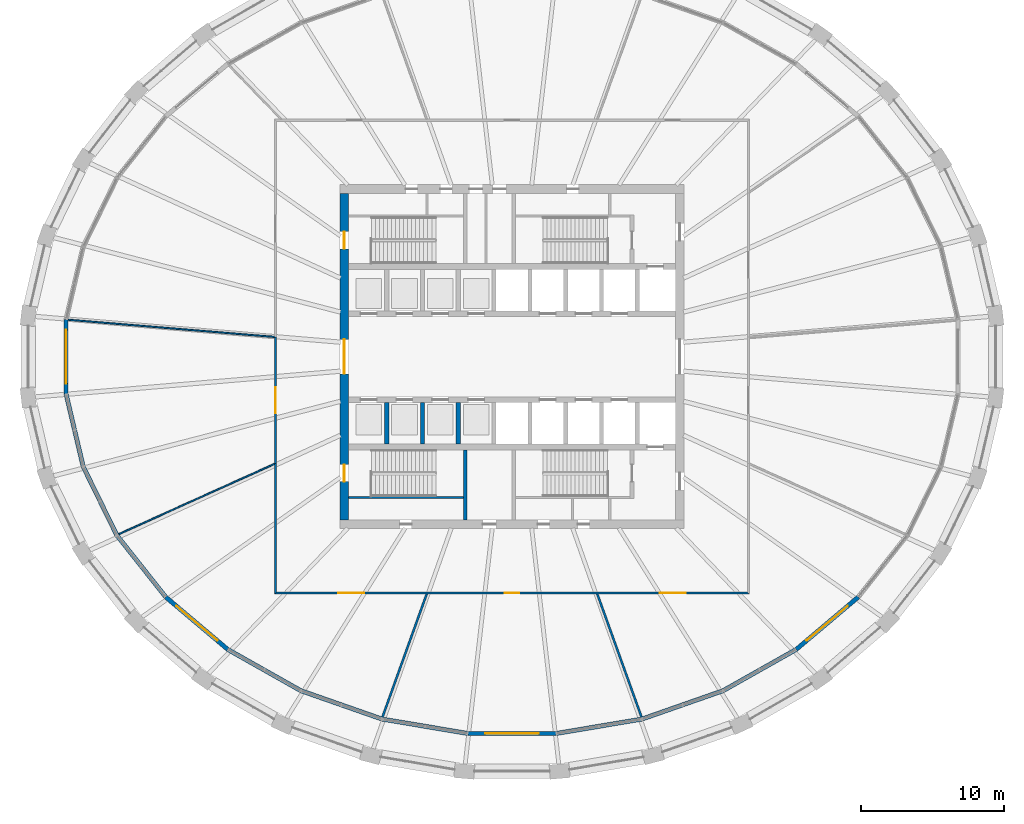
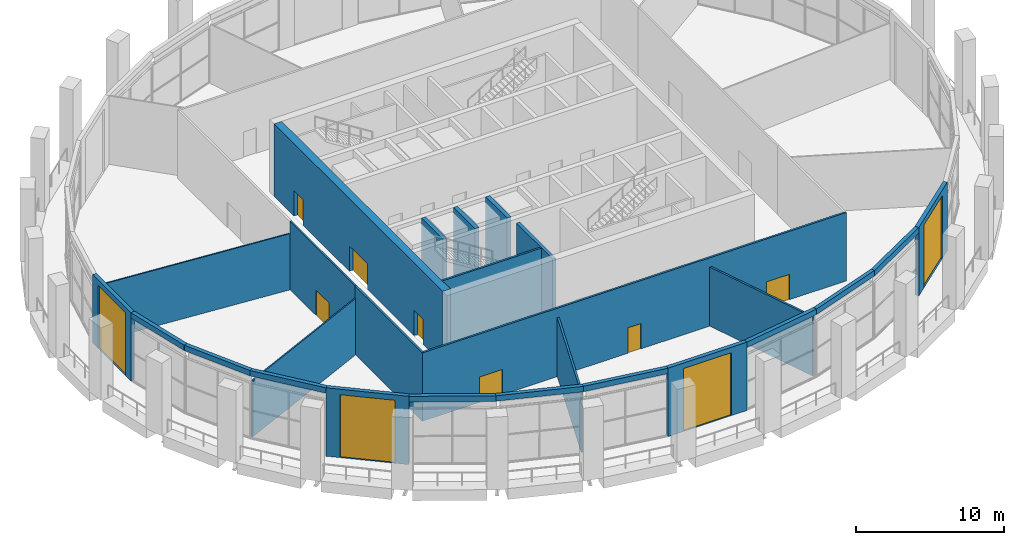
# One storey, part 12 of 19: 26 walls, 11 doors, 11 openings.
"""IFC4 building model written with IfcOpenShell, lengths in metres."""

from ifc_helpers import new_model, si_unit, direction, frame, frame_2d, origin, place, context, subcontext, project, spatial, polyline, rectangle, outline, extrude, material, layer, layer_set, type_object, element, fill, save


model = new_model("IFC4")

# Units and contexts
model_context = context("Model", 3, precision=1e-05, world=origin(), true_north=direction((0.0, 1.0)))
body_context = subcontext(model_context, "Body", "Model", "MODEL_VIEW")
ifc_project = project(units=[si_unit("LENGTHUNIT", "METRE"), si_unit("AREAUNIT", "SQUARE_METRE"), si_unit("VOLUMEUNIT", "CUBIC_METRE"), si_unit("PLANEANGLEUNIT", "RADIAN"), si_unit("MASSUNIT", "GRAM", prefix="KILO")], contexts=[model_context])

# Site, building, storey
site_placement = place(None, origin())
site = spatial("IfcSite", under=ifc_project, at=site_placement, CompositionType="ELEMENT")
building_placement = place(site_placement, origin())
building = spatial("IfcBuilding", under=site, at=building_placement, Name="Halqa Exchange Tower", CompositionType="ELEMENT")
storey_placement = place(building_placement, frame((0.0, 0.0, 167.5)))
storey = spatial("IfcBuildingStorey", under=building, at=storey_placement, Name="L38", CompositionType="ELEMENT", Elevation=167.5)

# Walls
ifc_material_1 = material(Name="Gypsum board")
ifc_layer_1 = layer(ifc_material_1, 0.14990234375)
ifc_layer_set_1 = layer_set([ifc_layer_1], Name="Gypsum board")
wall_type_1 = type_object("IfcWallType", Name="Acoustic partition 150", PredefinedType="PARTITIONING", material=ifc_layer_set_1)
wall_1_placement = place(storey_placement, frame((-5.947998046875, -16.5498046875, 0.0), z_axis=(0.0, 0.0, 1.0), x_axis=(-0.338254589268, -0.941054638605, 0.0)))
element("IfcWall", 1, at=wall_1_placement, inside=storey, type_object=wall_type_1, Name="L38-PWL-009", PredefinedType="PARTITIONING", context=body_context, shape_type="SweptSolid", body=[
    extrude(outline(polyline([(9.1318359375, -0.074951171875), (9.1318359375, -0.061767578125), (9.13134765625, 0.0029296875), (9.1181640625, 0.074951171875), (7.294677734375, 0.074951171875), (5.470947265625, 0.074951171875), (3.647216796875, 0.074951171875), (1.82373046875, 0.074951171875), (0.0, 0.074951171875), (0.0, 0.074462890625), (0.0537109375, -0.074951171875), (1.869384765625, -0.074951171875), (3.68505859375, -0.074951171875), (5.50048828125, -0.074951171875), (7.316162109375, -0.074951171875), (9.1318359375, -0.074951171875)])), origin(), (0.0, 0.0, 1.0), 4.8798828125),
])
wall_2_placement = place(storey_placement, frame((5.947998046875, -16.5498046875, 0.0), z_axis=(0.0, 0.0, 1.0), x_axis=(0.338254589268, -0.941054638605, 0.0)))
element("IfcWall", 2, at=wall_2_placement, inside=storey, type_object=wall_type_1, Name="L38-PWL-011", PredefinedType="PARTITIONING", context=body_context, shape_type="SweptSolid", body=[
    extrude(outline(polyline([(0.0, -0.074951171875), (1.82373046875, -0.074951171875), (3.647216796875, -0.074951171875), (5.470947265625, -0.074951171875), (7.294677734375, -0.074951171875), (9.1181640625, -0.074951171875), (9.13134765625, -0.0029296875), (9.1318359375, 0.061767578125), (9.1318359375, 0.074951171875), (7.316162109375, 0.074951171875), (5.50048828125, 0.074951171875), (3.68505859375, 0.074951171875), (1.869384765625, 0.074951171875), (0.0537109375, 0.074951171875), (0.0, -0.074462890625), (0.0, -0.074951171875)])), origin(), (0.0, 0.0, 1.0), 4.8798828125),
])
ifc_material_2 = material(Name="Fire-rated gypsum board")
ifc_layer_2 = layer(ifc_material_2, 0.14990234375)
ifc_layer_set_2 = layer_set([ifc_layer_2], Name="Fire-rated gypsum board")
wall_type_2 = type_object("IfcWallType", Name="Fire partition EI 60 150", PredefinedType="PARTITIONING", material=ifc_layer_set_2)
wall_3_placement = place(storey_placement, frame((-16.5, -16.574951171875, 0.0), z_axis=(0.0, 0.0, 1.0), x_axis=(0.0, 1.0, 0.0)))
element("IfcWall", 3, at=wall_3_placement, inside=storey, type_object=wall_type_2, Name="L38-PWL-001", PredefinedType="PARTITIONING", context=body_context, shape_type="SweptSolid", body=[
    extrude(outline(polyline([(9.125, 0.074951171875), (7.300048828125, 0.074951171875), (5.47509765625, 0.074951171875), (3.64990234375, 0.074951171875), (1.824951171875, 0.074951171875), (0.0, 0.074951171875), (0.14990234375, -0.074951171875), (1.94482421875, -0.074951171875), (3.739990234375, -0.074951171875), (5.534912109375, -0.074951171875), (7.330078125, -0.074951171875), (9.125, -0.074951171875), (9.125, 0.074951171875)])), origin(), (0.0, 0.0, 1.0), 5.64990234375),
])

# Wall, openings, doors
wall_4_placement = place(storey_placement, frame((-16.574951171875, -16.5, 0.0), z_axis=(0.0, 0.0, 1.0), x_axis=(1.0, 0.0, 0.0)))
wall_4 = element("IfcWall", 4, at=wall_4_placement, inside=storey, type_object=wall_type_2, Name="L38-PWL-002", PredefinedType="PARTITIONING", context=body_context, shape_type="SweptSolid", body=[
    extrude(outline(polyline([(0.0, -0.074951171875), (1.949951171875, -0.074951171875), (3.89990234375, -0.074951171875), (5.85009765625, -0.074951171875), (7.800048828125, -0.074951171875), (9.75, -0.074951171875), (11.699951171875, -0.074951171875), (13.64990234375, -0.074951171875), (15.599853515625, -0.074951171875), (17.550048828125, -0.074951171875), (19.5, -0.074951171875), (21.449951171875, -0.074951171875), (23.39990234375, -0.074951171875), (25.349853515625, -0.074951171875), (27.2998046875, -0.074951171875), (29.25, -0.074951171875), (31.199951171875, -0.074951171875), (33.14990234375, -0.074951171875), (33.0, 0.074951171875), (31.067626953125, 0.074951171875), (29.13525390625, 0.074951171875), (27.202880859375, 0.074951171875), (25.2705078125, 0.074951171875), (23.338134765625, 0.074951171875), (21.40576171875, 0.074951171875), (19.473388671875, 0.074951171875), (17.541015625, 0.074951171875), (15.60888671875, 0.074951171875), (13.676513671875, 0.074951171875), (11.744140625, 0.074951171875), (9.811767578125, 0.074951171875), (7.87939453125, 0.074951171875), (5.947021484375, 0.074951171875), (4.0146484375, 0.074951171875), (2.082275390625, 0.074951171875), (0.14990234375, 0.074951171875), (0.0, -0.074951171875)])), origin(), (0.0, 0.0, 1.0), 5.64990234375),
])
opening_1_placement = place(wall_4_placement, frame((4.4599609375, 0.0, 0.0)))
opening_1 = element("IfcOpeningElement", 5, at=opening_1_placement, cuts=wall_4, Name="Opening L38-06", PredefinedType="OPENING", context=body_context, shape_type="SweptSolid", body=[
    extrude(rectangle(XDim=1.800048828125, YDim=2.10009765625, at=frame_2d((0.89990234375, 1.050048828125))), frame((0.0, 0.0869140625, 0.0), z_axis=(0.0, -1.0, 0.0), x_axis=(1.0, 0.0, 0.0)), (0.0, 0.0, 1.0), 0.173828125),
])
opening_2_placement = place(wall_4_placement, frame((16.074951171875, 0.0, 0.0)))
opening_2 = element("IfcOpeningElement", 6, at=opening_2_placement, cuts=wall_4, Name="Opening L38-07", PredefinedType="OPENING", context=body_context, shape_type="SweptSolid", body=[
    extrude(rectangle(XDim=1.0, YDim=2.10009765625, at=frame_2d((0.5, 1.050048828125))), frame((0.0, 0.0869140625, 0.0), z_axis=(0.0, -1.0, 0.0), x_axis=(1.0, 0.0, 0.0)), (0.0, 0.0, 1.0), 0.173828125),
])
opening_3_placement = place(wall_4_placement, frame((26.889892578125, 0.0, 0.0)))
opening_3 = element("IfcOpeningElement", 7, at=opening_3_placement, cuts=wall_4, Name="Opening L38-08", PredefinedType="OPENING", context=body_context, shape_type="SweptSolid", body=[
    extrude(rectangle(XDim=1.800048828125, YDim=2.10009765625, at=frame_2d((0.89990234375, 1.050048828125))), frame((0.0, 0.0869140625, 0.0), z_axis=(0.0, -1.0, 0.0), x_axis=(1.0, 0.0, 0.0)), (0.0, 0.0, 1.0), 0.173828125),
])
ifc_material_3 = material(Name="Steel fire door leaf", Category="steel")
door_type_1 = type_object("IfcDoorType", Name="Fire door FD30S 1000 x 2100", OperationType="SINGLE_SWING_LEFT", PredefinedType="DOOR", material=ifc_material_3)
door_1_placement = place(opening_2_placement, frame((1.0, 0.0, 0.0), z_axis=(0.0, 0.0, 1.0), x_axis=(-1.0, 0.0, 0.0)))
door_1 = element("IfcDoor", 8, at=door_1_placement, inside=storey, type_object=door_type_1, Name="L38-IDR-007", OperationType="SINGLE_SWING_RIGHT", OverallHeight=2.10009765625, OverallWidth=1.0, PredefinedType="DOOR", context=body_context, shape_type="SweptSolid", body=[
    extrude(rectangle(XDim=1.0, YDim=2.10009765625, at=frame_2d((0.5, 1.050048828125))), frame((0.0, 0.02490234375, 0.0), z_axis=(0.0, -1.0, 0.0), x_axis=(1.0, 0.0, 0.0)), (0.0, 0.0, 1.0), 0.050048828125),
])
fill(opening_2, door_1)
door_type_2 = type_object("IfcDoorType", Name="Fire door FD30S double 1800 x 2100", OperationType="DOUBLE_DOOR_SINGLE_SWING", PredefinedType="DOOR", material=ifc_material_3)
door_2_placement = place(opening_1_placement, frame((1.800048828125, 0.0, 0.0), z_axis=(0.0, 0.0, 1.0), x_axis=(-1.0, 0.0, 0.0)))
door_2 = element("IfcDoor", 9, at=door_2_placement, inside=storey, type_object=door_type_2, Name="L38-IDR-006", OperationType="DOUBLE_DOOR_SINGLE_SWING", OverallHeight=2.10009765625, OverallWidth=1.800048828125, PredefinedType="DOOR", context=body_context, shape_type="SweptSolid", body=[
    extrude(rectangle(XDim=1.800048828125, YDim=2.10009765625, at=frame_2d((0.89990234375, 1.050048828125))), frame((0.0, 0.02490234375, 0.0), z_axis=(0.0, -1.0, 0.0), x_axis=(1.0, 0.0, 0.0)), (0.0, 0.0, 1.0), 0.050048828125),
])
fill(opening_1, door_2)
door_3_placement = place(opening_3_placement, frame((1.800048828125, 0.0, 0.0), z_axis=(0.0, 0.0, 1.0), x_axis=(-1.0, 0.0, 0.0)))
door_3 = element("IfcDoor", 10, at=door_3_placement, inside=storey, type_object=door_type_2, Name="L38-IDR-008", OperationType="DOUBLE_DOOR_SINGLE_SWING", OverallHeight=2.10009765625, OverallWidth=1.800048828125, PredefinedType="DOOR", context=body_context, shape_type="SweptSolid", body=[
    extrude(rectangle(XDim=1.800048828125, YDim=2.10009765625, at=frame_2d((0.89990234375, 1.050048828125))), frame((0.0, 0.02490234375, 0.0), z_axis=(0.0, -1.0, 0.0), x_axis=(1.0, 0.0, 0.0)), (0.0, 0.0, 1.0), 0.050048828125),
])
fill(opening_3, door_3)

# Wall, opening, door
ifc_material_4 = material(Name="Fire-rated glazing", Category="glass")
ifc_layer_3 = layer(ifc_material_4, 0.1201171875)
ifc_layer_set_3 = layer_set([ifc_layer_3], Name="Fire-rated glazing")
wall_type_3 = type_object("IfcWallType", Name="Glazed fire partition EI 60 120", PredefinedType="PARTITIONING", material=ifc_layer_set_3)
wall_5_placement = place(storey_placement, frame((-16.5, -7.449951171875, 0.0), z_axis=(0.0, 0.0, 1.0), x_axis=(0.0, 1.0, 0.0)))
wall_5 = element("IfcWall", 11, at=wall_5_placement, inside=storey, type_object=wall_type_3, Name="L38-PWL-004", PredefinedType="PARTITIONING", context=body_context, shape_type="SweptSolid", body=[
    extrude(rectangle(XDim=8.820068359375, YDim=0.1201171875, at=frame_2d((4.41015625, 0.0))), origin(), (0.0, 0.0, 1.0), 5.64990234375),
])
opening_4_placement = place(wall_5_placement, frame((3.510009765625, 0.0, 0.0)))
opening_4 = element("IfcOpeningElement", 12, at=opening_4_placement, cuts=wall_5, Name="Opening L38-05", PredefinedType="OPENING", context=body_context, shape_type="SweptSolid", body=[
    extrude(rectangle(XDim=1.800048828125, YDim=2.10009765625, at=frame_2d((0.89990234375, 1.050048828125))), frame((0.0, 0.072021484375, 0.0), z_axis=(0.0, -1.0, 0.0), x_axis=(1.0, 0.0, 0.0)), (0.0, 0.0, 1.0), 0.14404296875),
])
door_4_placement = place(opening_4_placement, origin())
door_4 = element("IfcDoor", 13, at=door_4_placement, inside=storey, type_object=door_type_2, Name="L38-IDR-005", OperationType="DOUBLE_DOOR_SINGLE_SWING", OverallHeight=2.10009765625, OverallWidth=1.800048828125, PredefinedType="DOOR", context=body_context, shape_type="SweptSolid", body=[
    extrude(rectangle(XDim=1.800048828125, YDim=2.10009765625, at=frame_2d((0.89990234375, 1.050048828125))), frame((0.0, 0.02490234375, 0.0), z_axis=(0.0, -1.0, 0.0), x_axis=(1.0, 0.0, 0.0)), (0.0, 0.0, 1.0), 0.050048828125),
])
fill(opening_4, door_4)

# Walls
ifc_layer_4 = layer(ifc_material_1, 0.10009765625)
ifc_layer_set_4 = layer_set([ifc_layer_4], Name="Gypsum board")
wall_type_4 = type_object("IfcWallType", Name="Partition 100 gypsum", PredefinedType="PARTITIONING", material=ifc_layer_set_4)
wall_6_placement = place(storey_placement, frame((-16.539794921875, -7.468017578125, 0.0), z_axis=(0.0, 0.0, 1.0), x_axis=(-0.911586306474, -0.411108751851, 0.0)))
element("IfcWall", 14, at=wall_6_placement, inside=storey, type_object=wall_type_4, Name="L38-PWL-003", PredefinedType="PARTITIONING", context=body_context, shape_type="SweptSolid", body=[
    extrude(outline(polyline([(11.948974609375, 0.050048828125), (9.9677734375, 0.050048828125), (7.986328125, 0.050048828125), (6.005126953125, 0.050048828125), (4.023681640625, 0.050048828125), (2.04248046875, 0.050048828125), (0.061279296875, 0.050048828125), (0.024658203125, -0.031005859375), (0.010986328125, -0.024658203125), (0.0, -0.049072265625), (0.0, -0.050048828125), (1.991455078125, -0.050048828125), (3.98291015625, -0.050048828125), (5.974609375, -0.050048828125), (7.966064453125, -0.050048828125), (9.95751953125, -0.050048828125), (11.948974609375, -0.050048828125), (11.948974609375, 0.050048828125)])), origin(), (0.0, 0.0, 1.0), 4.659912109375),
])
wall_7_placement = place(storey_placement, frame((-16.556396484375, 1.374755859375, 0.0), z_axis=(0.0, 0.0, 1.0), x_axis=(-0.996550995981, 0.082982603054, 0.0)))
element("IfcWall", 15, at=wall_7_placement, inside=storey, type_object=wall_type_4, Name="L38-PWL-005", PredefinedType="PARTITIONING", context=body_context, shape_type="SweptSolid", body=[
    extrude(outline(polyline([(0.02294921875, -0.050048828125), (1.8271484375, -0.050048828125), (3.63134765625, -0.050048828125), (5.435791015625, -0.050048828125), (7.239990234375, -0.050048828125), (9.04443359375, -0.050048828125), (10.8486328125, -0.050048828125), (12.653076171875, -0.050048828125), (14.457275390625, -0.050048828125), (14.460205078125, -0.030517578125), (14.460205078125, 0.050048828125), (12.652587890625, 0.050048828125), (10.84521484375, 0.050048828125), (9.03759765625, 0.050048828125), (7.22998046875, 0.050048828125), (5.422607421875, 0.050048828125), (3.614990234375, 0.050048828125), (1.8076171875, 0.050048828125), (0.0, 0.050048828125), (0.0, 0.04345703125), (0.003173828125, 0.005126953125), (0.01806640625, 0.00634765625), (0.02294921875, -0.050048828125)])), origin(), (0.0, 0.0, 1.0), 4.64990234375),
])
ifc_material_5 = material(Name="Concrete C60/75", Category="concrete")
ifc_layer_5 = layer(ifc_material_5, 0.300048828125)
ifc_layer_set_5 = layer_set([ifc_layer_5], Name="Concrete C60/75")
wall_type_5 = type_object("IfcWallType", Name="RC core wall 300", PredefinedType="SHEAR", material=ifc_layer_set_5)
for number, where, z_axis, x_axis, name in (
    (16, (-8.75, -6.10009765625, 0.0), (0.0, 0.0, 1.0), (0.0, 1.0, 0.0), "Shaft divider S1"),
    (17, (-6.25, -6.10009765625, 0.0), (0.0, 0.0, 1.0), (0.0, 1.0, 0.0), "Shaft divider S2"),
    (18, (-3.75, -6.10009765625, 0.0), (0.0, 0.0, 1.0), (0.0, 1.0, 0.0), "Shaft divider S3"),
):
    element("IfcWall", number, at=place(storey_placement, frame(where, z_axis=z_axis, x_axis=x_axis)), inside=storey, type_object=wall_type_5, Name=name, PredefinedType="SHEAR", context=body_context, shape_type="SweptSolid", body=[
        extrude(rectangle(XDim=2.900146484375, YDim=0.300048828125, at=frame_2d((1.4501953125, 0.0))), origin(), (0.0, 0.0, 1.0), 6.0),
    ])

# Wall, openings, doors
ifc_material_6 = material(Name="Concrete C70/85", Category="concrete")
ifc_layer_6 = layer(ifc_material_6, 0.60009765625)
ifc_layer_set_6 = layer_set([ifc_layer_6], Name="Concrete C70/85")
wall_type_6 = type_object("IfcWallType", Name="RC core wall 600 C70/85", PredefinedType="SHEAR", material=ifc_layer_set_6)
wall_8_placement = place(storey_placement, frame((-11.699951171875, -11.39990234375, 0.0), z_axis=(0.0, 0.0, 1.0), x_axis=(0.0, 1.0, 0.0)))
wall_8 = element("IfcWall", 19, at=wall_8_placement, inside=storey, type_object=wall_type_6, Name="Core wall west", PredefinedType="SHEAR", context=body_context, shape_type="SweptSolid", body=[
    extrude(rectangle(XDim=22.7998046875, YDim=0.60009765625, at=frame_2d((11.39990234375, 0.0))), origin(), (0.0, 0.0, 1.0), 6.0),
])
opening_5_placement = place(wall_8_placement, frame((10.199951171875, 0.0, 0.0)))
opening_5 = element("IfcOpeningElement", 20, at=opening_5_placement, cuts=wall_8, Name="Opening L38-C17", PredefinedType="OPENING", context=body_context, shape_type="SweptSolid", body=[
    extrude(rectangle(XDim=2.39990234375, YDim=2.10009765625, at=frame_2d((1.199951171875, 1.050048828125))), frame((0.0, 0.31201171875, 0.0), z_axis=(0.0, -1.0, 0.0), x_axis=(1.0, 0.0, 0.0)), (0.0, 0.0, 1.0), 0.6240234375),
])
opening_6_placement = place(wall_8_placement, frame((18.925048828125, 0.0, 0.0)))
opening_6 = element("IfcOpeningElement", 21, at=opening_6_placement, cuts=wall_8, Name="Opening L38-C19", PredefinedType="OPENING", context=body_context, shape_type="SweptSolid", body=[
    extrude(rectangle(XDim=1.199951171875, YDim=2.10009765625, at=frame_2d((0.60009765625, 1.050048828125))), frame((0.0, 0.31201171875, 0.0), z_axis=(0.0, -1.0, 0.0), x_axis=(1.0, 0.0, 0.0)), (0.0, 0.0, 1.0), 0.6240234375),
])
opening_7_placement = place(wall_8_placement, frame((2.675048828125, 0.0, 0.0)))
opening_7 = element("IfcOpeningElement", 22, at=opening_7_placement, cuts=wall_8, Name="Opening L38-C21", PredefinedType="OPENING", context=body_context, shape_type="SweptSolid", body=[
    extrude(rectangle(XDim=1.199951171875, YDim=2.10009765625, at=frame_2d((0.60009765625, 1.050048828125))), frame((0.0, 0.31201171875, 0.0), z_axis=(0.0, -1.0, 0.0), x_axis=(1.0, 0.0, 0.0)), (0.0, 0.0, 1.0), 0.6240234375),
])
door_type_3 = type_object("IfcDoorType", Name="Lobby double door FD60 2400 x 2100", OperationType="DOUBLE_DOOR_SINGLE_SWING", PredefinedType="DOOR", material=ifc_material_3)
door_5_placement = place(opening_5_placement, frame((2.39990234375, 0.0, 0.0), z_axis=(0.0, 0.0, 1.0), x_axis=(-1.0, 0.0, 0.0)))
door_5 = element("IfcDoor", 23, at=door_5_placement, inside=storey, type_object=door_type_3, Name="Lift lobby double door", OperationType="DOUBLE_DOOR_SINGLE_SWING", OverallHeight=2.10009765625, OverallWidth=2.39990234375, PredefinedType="DOOR", context=body_context, shape_type="SweptSolid", body=[
    extrude(rectangle(XDim=2.39990234375, YDim=2.10009765625, at=frame_2d((1.199951171875, 1.050048828125))), frame((0.0, 0.02490234375, 0.0), z_axis=(0.0, -1.0, 0.0), x_axis=(1.0, 0.0, 0.0)), (0.0, 0.0, 1.0), 0.050048828125),
])
fill(opening_5, door_5)
door_type_4 = type_object("IfcDoorType", Name="Stair door FD90 1200 x 2100", OperationType="SINGLE_SWING_LEFT", PredefinedType="DOOR", material=ifc_material_3)
door_6_placement = place(opening_6_placement, frame((1.199951171875, 0.0, 0.0), z_axis=(0.0, 0.0, 1.0), x_axis=(-1.0, 0.0, 0.0)))
door_6 = element("IfcDoor", 24, at=door_6_placement, inside=storey, type_object=door_type_4, Name="Stair door ST1", OperationType="SINGLE_SWING_RIGHT", OverallHeight=2.10009765625, OverallWidth=1.199951171875, PredefinedType="DOOR", context=body_context, shape_type="SweptSolid", body=[
    extrude(rectangle(XDim=1.199951171875, YDim=2.10009765625, at=frame_2d((0.60009765625, 1.050048828125))), frame((0.0, 0.02490234375, 0.0), z_axis=(0.0, -1.0, 0.0), x_axis=(1.0, 0.0, 0.0)), (0.0, 0.0, 1.0), 0.050048828125),
])
fill(opening_6, door_6)
door_7_placement = place(opening_7_placement, frame((1.199951171875, 0.0, 0.0), z_axis=(0.0, 0.0, 1.0), x_axis=(-1.0, 0.0, 0.0)))
door_7 = element("IfcDoor", 25, at=door_7_placement, inside=storey, type_object=door_type_4, Name="Stair door ST3", OperationType="SINGLE_SWING_LEFT", OverallHeight=2.10009765625, OverallWidth=1.199951171875, PredefinedType="DOOR", context=body_context, shape_type="SweptSolid", body=[
    extrude(rectangle(XDim=1.199951171875, YDim=2.10009765625, at=frame_2d((0.60009765625, 1.050048828125))), frame((0.0, 0.02490234375, 0.0), z_axis=(0.0, -1.0, 0.0), x_axis=(1.0, 0.0, 0.0)), (0.0, 0.0, 1.0), 0.050048828125),
])
fill(opening_7, door_7)

# Walls
ifc_material_7 = material(Name="Concrete C30/37", Category="concrete")
ifc_layer_7 = layer(ifc_material_7, 0.14990234375)
ifc_layer_set_7 = layer_set([ifc_layer_7], Name="Concrete C30/37")
wall_type_7 = type_object("IfcWallType", Name="RC stair wall 150 C30/37", PredefinedType="SHEAR", material=ifc_layer_set_7)
wall_9_placement = place(storey_placement, frame((-11.39990234375, -9.824951171875, 0.0), z_axis=(0.0, 0.0, 1.0), x_axis=(1.0, 0.0, 0.0)))
element("IfcWall", 26, at=wall_9_placement, inside=storey, type_object=wall_type_7, Name="Stair ST1 north wall S", PredefinedType="SHEAR", context=body_context, shape_type="SweptSolid", body=[
    extrude(rectangle(XDim=8.0, YDim=0.14990234375, at=frame_2d((4.0, 0.0))), origin(), (0.0, 0.0, 1.0), 5.64990234375),
])
ifc_layer_8 = layer(ifc_material_7, 0.25)
ifc_layer_set_8 = layer_set([ifc_layer_8], Name="Concrete C30/37")
wall_type_8 = type_object("IfcWallType", Name="RC stair wall 250 C30/37", PredefinedType="SHEAR", material=ifc_layer_set_8)
wall_10_placement = place(storey_placement, frame((-3.27490234375, -11.39990234375, 0.0), z_axis=(0.0, 0.0, 1.0), x_axis=(0.0, 1.0, 0.0)))
element("IfcWall", 27, at=wall_10_placement, inside=storey, type_object=wall_type_8, Name="Stair ST1 east wall S", PredefinedType="SHEAR", context=body_context, shape_type="SweptSolid", body=[
    extrude(rectangle(XDim=4.89990234375, YDim=0.25, at=frame_2d((2.449951171875, 0.0))), origin(), (0.0, 0.0, 1.0), 5.64990234375),
])

# Wall, opening, door
ifc_material_8 = material(Name="Limestone cladding", Category="masonry")
ifc_layer_9 = layer(ifc_material_8, 0.0400390625)
ifc_material_9 = material(Name="Ventilated cavity")
ifc_layer_10 = layer(ifc_material_9, 0.030029296875, ventilated=True)
ifc_material_10 = material(Name="Mineral wool insulation")
ifc_layer_11 = layer(ifc_material_10, 0.10009765625)
ifc_layer_12 = layer(ifc_material_7, 0.10009765625)
ifc_material_11 = material(Name="Internal plaster")
ifc_layer_13 = layer(ifc_material_11, 0.030029296875)
ifc_layer_set_9 = layer_set([ifc_layer_9, ifc_layer_10, ifc_layer_11, ifc_layer_12, ifc_layer_13], Name="Stone-faced insulated wall 300")
wall_type_9 = type_object("IfcWallType", Name="Stone-faced insulated wall 300", PredefinedType="STANDARD", material=ifc_layer_set_9)
wall_11_placement = place(storey_placement, frame((-31.12109375, 2.5927734375, 0.0), z_axis=(0.0, 0.0, 1.0), x_axis=(0.0, -1.0, 0.0)))
wall_11 = element("IfcWall", 28, at=wall_11_placement, inside=storey, type_object=wall_type_9, Name="Glass-line wall 16", PredefinedType="STANDARD", context=body_context, shape_type="SweptSolid", body=[
    extrude(outline(polyline([(-0.017333984375, -0.14990234375), (5.202880859375, -0.14990234375), (5.168212890625, 0.14990234375), (0.017333984375, 0.14990234375), (-0.017333984375, -0.14990234375)])), origin(), (0.0, 0.0, 1.0), 5.64990234375),
])
opening_8_placement = place(wall_11_placement, frame((0.7177734375, 0.0, 0.0)))
opening_8 = element("IfcOpeningElement", 29, at=opening_8_placement, cuts=wall_11, Name="Opening LGS-F2-04", PredefinedType="OPENING", context=body_context, shape_type="SweptSolid", body=[
    extrude(rectangle(XDim=3.75, YDim=5.199951171875, at=frame_2d((1.875, 2.60009765625))), frame((0.0, 0.162109375, 0.0), z_axis=(0.0, -1.0, 0.0), x_axis=(1.0, 0.0, 0.0)), (0.0, 0.0, 1.0), 0.323974609375),
])
ifc_material_12 = material(Name="Clear low-emissivity glass in aluminium frame", Category="aluminium")
door_type_5 = type_object("IfcDoorType", Name="Glazed sliding balcony door 3750 x 5200", OperationType="DOUBLE_DOOR_SLIDING", PredefinedType="DOOR", material=ifc_material_12)
door_8_placement = place(opening_8_placement, origin())
door_8 = element("IfcDoor", 30, at=door_8_placement, inside=storey, type_object=door_type_5, Name="Loggia door 4", OperationType="DOUBLE_DOOR_SLIDING", OverallHeight=5.199951171875, OverallWidth=3.75, PredefinedType="DOOR", context=body_context, shape_type="SweptSolid", body=[
    extrude(rectangle(XDim=3.75, YDim=5.199951171875, at=frame_2d((1.875, 2.60009765625))), frame((0.0, 0.02490234375, 0.0), z_axis=(0.0, -1.0, 0.0), x_axis=(1.0, 0.0, 0.0)), (0.0, 0.0, 1.0), 0.050048828125),
])
fill(opening_8, door_8)

wall_12_placement = place(storey_placement, frame((-24.165283203125, -16.773681640625, 0.0), z_axis=(0.0, 0.0, 1.0), x_axis=(0.764076096085, -0.645126126732, 0.0)))
wall_12 = element("IfcWall", 31, at=wall_12_placement, inside=storey, type_object=wall_type_9, Name="Glass-line wall 20", PredefinedType="STANDARD", context=body_context, shape_type="SweptSolid", body=[
    extrude(outline(polyline([(-0.01513671875, -0.14990234375), (5.689208984375, -0.14990234375), (5.660888671875, 0.14990234375), (0.01513671875, 0.14990234375), (-0.01513671875, -0.14990234375)])), origin(), (0.0, 0.0, 1.0), 5.64990234375),
])
opening_9_placement = place(wall_12_placement, frame((0.96240234375, 0.0, 0.0)))
opening_9 = element("IfcOpeningElement", 32, at=opening_9_placement, cuts=wall_12, Name="Opening LGS-F2-05", PredefinedType="OPENING", context=body_context, shape_type="SweptSolid", body=[
    extrude(rectangle(XDim=3.75, YDim=5.199951171875, at=frame_2d((1.875, 2.60009765625))), frame((0.0, 0.162109375, 0.0), z_axis=(0.0, -1.0, 0.0), x_axis=(1.0, 0.0, 0.0)), (0.0, 0.0, 1.0), 0.323974609375),
])
door_9_placement = place(opening_9_placement, origin())
door_9 = element("IfcDoor", 33, at=door_9_placement, inside=storey, type_object=door_type_5, Name="Loggia door 5", OperationType="DOUBLE_DOOR_SLIDING", OverallHeight=5.199951171875, OverallWidth=3.75, PredefinedType="DOOR", context=body_context, shape_type="SweptSolid", body=[
    extrude(rectangle(XDim=3.75, YDim=5.199951171875, at=frame_2d((1.875, 2.60009765625))), frame((0.0, 0.02490234375, 0.0), z_axis=(0.0, -1.0, 0.0), x_axis=(1.0, 0.0, 0.0)), (0.0, 0.0, 1.0), 0.050048828125),
])
fill(opening_9, door_9)

wall_13_placement = place(storey_placement, frame((-3.06298828125, -26.298583984375, 0.0), z_axis=(0.0, 0.0, 1.0), x_axis=(1.0, 0.0, 0.0)))
wall_13 = element("IfcWall", 34, at=wall_13_placement, inside=storey, type_object=wall_type_9, Name="Glass-line wall 24", PredefinedType="STANDARD", context=body_context, shape_type="SweptSolid", body=[
    extrude(outline(polyline([(-0.012451171875, -0.14990234375), (6.138427734375, -0.14990234375), (6.113525390625, 0.14990234375), (0.012451171875, 0.14990234375), (-0.012451171875, -0.14990234375)])), origin(), (0.0, 0.0, 1.0), 5.64990234375),
])
opening_10_placement = place(wall_13_placement, frame((1.18798828125, 0.0, 0.0)))
opening_10 = element("IfcOpeningElement", 35, at=opening_10_placement, cuts=wall_13, Name="Opening LGS-F2-06", PredefinedType="OPENING", context=body_context, shape_type="SweptSolid", body=[
    extrude(rectangle(XDim=3.75, YDim=5.199951171875, at=frame_2d((1.875, 2.60009765625))), frame((0.0, 0.162109375, 0.0), z_axis=(0.0, -1.0, 0.0), x_axis=(1.0, 0.0, 0.0)), (0.0, 0.0, 1.0), 0.323974609375),
])
door_10_placement = place(opening_10_placement, origin())
door_10 = element("IfcDoor", 36, at=door_10_placement, inside=storey, type_object=door_type_5, Name="Loggia door 6", OperationType="DOUBLE_DOOR_SLIDING", OverallHeight=5.199951171875, OverallWidth=3.75, PredefinedType="DOOR", context=body_context, shape_type="SweptSolid", body=[
    extrude(rectangle(XDim=3.75, YDim=5.199951171875, at=frame_2d((1.875, 2.60009765625))), frame((0.0, 0.02490234375, 0.0), z_axis=(0.0, -1.0, 0.0), x_axis=(1.0, 0.0, 0.0)), (0.0, 0.0, 1.0), 0.050048828125),
])
fill(opening_10, door_10)

wall_14_placement = place(storey_placement, frame((19.8291015625, -20.434814453125, 0.0), z_axis=(0.0, 0.0, 1.0), x_axis=(0.764076096085, 0.645126126732, 0.0)))
wall_14 = element("IfcWall", 37, at=wall_14_placement, inside=storey, type_object=wall_type_9, Name="Glass-line wall 28", PredefinedType="STANDARD", context=body_context, shape_type="SweptSolid", body=[
    extrude(outline(polyline([(-0.01416015625, -0.14990234375), (5.690185546875, -0.14990234375), (5.659912109375, 0.14990234375), (0.01416015625, 0.14990234375), (-0.01416015625, -0.14990234375)])), origin(), (0.0, 0.0, 1.0), 5.64990234375),
])
opening_11_placement = place(wall_14_placement, frame((0.96240234375, 0.0, 0.0)))
opening_11 = element("IfcOpeningElement", 38, at=opening_11_placement, cuts=wall_14, Name="Opening LGS-F2-07", PredefinedType="OPENING", context=body_context, shape_type="SweptSolid", body=[
    extrude(rectangle(XDim=3.75, YDim=5.199951171875, at=frame_2d((1.875, 2.60009765625))), frame((0.0, 0.162109375, 0.0), z_axis=(0.0, -1.0, 0.0), x_axis=(1.0, 0.0, 0.0)), (0.0, 0.0, 1.0), 0.323974609375),
])
door_11_placement = place(opening_11_placement, origin())
door_11 = element("IfcDoor", 39, at=door_11_placement, inside=storey, type_object=door_type_5, Name="Loggia door 7", OperationType="DOUBLE_DOOR_SLIDING", OverallHeight=5.199951171875, OverallWidth=3.75, PredefinedType="DOOR", context=body_context, shape_type="SweptSolid", body=[
    extrude(rectangle(XDim=3.75, YDim=5.199951171875, at=frame_2d((1.875, 2.60009765625))), frame((0.0, 0.02490234375, 0.0), z_axis=(0.0, -1.0, 0.0), x_axis=(1.0, 0.0, 0.0)), (0.0, 0.0, 1.0), 0.050048828125),
])
fill(opening_11, door_11)

# Walls
ifc_layer_14 = layer(ifc_material_8, 0.0400390625)
ifc_layer_15 = layer(ifc_material_9, 0.030029296875, ventilated=True)
ifc_layer_16 = layer(ifc_material_10, 0.10009765625)
ifc_layer_17 = layer(ifc_material_7, 0.10009765625)
ifc_layer_18 = layer(ifc_material_11, 0.030029296875)
ifc_layer_set_10 = layer_set([ifc_layer_14, ifc_layer_15, ifc_layer_16, ifc_layer_17, ifc_layer_18], Name="Stone-faced spandrel wall 300")
wall_type_10 = type_object("IfcWallType", Name="Stone-faced spandrel wall 300", PredefinedType="STANDARD", material=ifc_layer_set_10)
wall_15_placement = place(storey_placement, frame((-31.12109375, -2.5927734375, 5.199951171875), z_axis=(0.0, 0.0, 1.0), x_axis=(0.229297175564, -0.973356463624, 0.0)))
element("IfcWall", 40, at=wall_15_placement, inside=storey, type_object=wall_type_10, Name="Spandrel wall 17", PredefinedType="STANDARD", context=body_context, shape_type="SweptSolid", body=[
    extrude(outline(polyline([(-0.017333984375, -0.14990234375), (5.241455078125, -0.14990234375), (5.207763671875, 0.14990234375), (0.017333984375, 0.14990234375), (-0.017333984375, -0.14990234375)])), origin(), (0.0, 0.0, 1.0), 0.449951171875),
])
wall_16_placement = place(storey_placement, frame((-29.923095703125, -7.67822265625, 5.199951171875), z_axis=(0.0, 0.0, 1.0), x_axis=(0.440444485575, -0.897779847806, 0.0)))
element("IfcWall", 41, at=wall_16_placement, inside=storey, type_object=wall_type_10, Name="Spandrel wall 18", PredefinedType="STANDARD", context=body_context, shape_type="SweptSolid", body=[
    extrude(outline(polyline([(-0.016845703125, -0.14990234375), (5.349609375, -0.14990234375), (5.3173828125, 0.14990234375), (0.016845703125, 0.14990234375), (-0.016845703125, -0.14990234375)])), origin(), (0.0, 0.0, 1.0), 0.449951171875),
])
wall_17_placement = place(storey_placement, frame((-27.573974609375, -12.466552734375, 5.199951171875), z_axis=(0.0, 0.0, 1.0), x_axis=(0.620577705153, -0.784144955902, 0.0)))
element("IfcWall", 42, at=wall_17_placement, inside=storey, type_object=wall_type_10, Name="Spandrel wall 19", PredefinedType="STANDARD", context=body_context, shape_type="SweptSolid", body=[
    extrude(outline(polyline([(-0.01611328125, -0.14990234375), (5.5078125, -0.14990234375), (5.4775390625, 0.14990234375), (0.01611328125, 0.14990234375), (-0.01611328125, -0.14990234375)])), origin(), (0.0, 0.0, 1.0), 0.449951171875),
])
wall_18_placement = place(storey_placement, frame((-19.8291015625, -20.434814453125, 5.199951171875), z_axis=(0.0, 0.0, 1.0), x_axis=(0.870982130072, -0.491314694565, 0.0)))
element("IfcWall", 43, at=wall_18_placement, inside=storey, type_object=wall_type_10, Name="Spandrel wall 21", PredefinedType="STANDARD", context=body_context, shape_type="SweptSolid", body=[
    extrude(outline(polyline([(-0.01416015625, -0.14990234375), (5.864990234375, -0.14990234375), (5.838134765625, 0.14990234375), (0.01416015625, 0.14990234375), (-0.01416015625, -0.14990234375)])), origin(), (0.0, 0.0, 1.0), 0.449951171875),
])
wall_19_placement = place(storey_placement, frame((-14.732421875, -23.309814453125, 5.199951171875), z_axis=(0.0, 0.0, 1.0), x_axis=(0.943944636678, -0.330103806228, 0.0)))
element("IfcWall", 44, at=wall_19_placement, inside=storey, type_object=wall_type_10, Name="Spandrel wall 22", PredefinedType="STANDARD", context=body_context, shape_type="SweptSolid", body=[
    extrude(outline(polyline([(-0.013427734375, -0.14990234375), (6.010009765625, -0.14990234375), (5.984619140625, 0.14990234375), (0.013427734375, 0.14990234375), (-0.013427734375, -0.14990234375)])), origin(), (0.0, 0.0, 1.0), 0.449951171875),
])
wall_20_placement = place(storey_placement, frame((-9.0712890625, -25.28955078125, 5.199951171875), z_axis=(0.0, 0.0, 1.0), x_axis=(0.98618955457, -0.165620537547, 0.0)))
element("IfcWall", 45, at=wall_20_placement, inside=storey, type_object=wall_type_10, Name="Spandrel wall 23", PredefinedType="STANDARD", context=body_context, shape_type="SweptSolid", body=[
    extrude(outline(polyline([(-0.0126953125, -0.14990234375), (6.10498046875, -0.14990234375), (6.080078125, 0.14990234375), (0.0126953125, 0.14990234375), (-0.0126953125, -0.14990234375)])), origin(), (0.0, 0.0, 1.0), 0.449951171875),
])
wall_21_placement = place(storey_placement, frame((3.06298828125, -26.298583984375, 5.199951171875), z_axis=(0.0, 0.0, 1.0), x_axis=(0.98618955457, 0.165620537547, 0.0)))
element("IfcWall", 46, at=wall_21_placement, inside=storey, type_object=wall_type_10, Name="Spandrel wall 25", PredefinedType="STANDARD", context=body_context, shape_type="SweptSolid", body=[
    extrude(outline(polyline([(-0.012451171875, -0.14990234375), (6.105224609375, -0.14990234375), (6.079833984375, 0.14990234375), (0.012451171875, 0.14990234375), (-0.012451171875, -0.14990234375)])), origin(), (0.0, 0.0, 1.0), 0.449951171875),
])
wall_22_placement = place(storey_placement, frame((9.0712890625, -25.28955078125, 5.199951171875), z_axis=(0.0, 0.0, 1.0), x_axis=(0.943944636678, 0.330103806228, 0.0)))
element("IfcWall", 47, at=wall_22_placement, inside=storey, type_object=wall_type_10, Name="Spandrel wall 26", PredefinedType="STANDARD", context=body_context, shape_type="SweptSolid", body=[
    extrude(outline(polyline([(-0.0126953125, -0.14990234375), (6.0107421875, -0.14990234375), (5.98388671875, 0.14990234375), (0.0126953125, 0.14990234375), (-0.0126953125, -0.14990234375)])), origin(), (0.0, 0.0, 1.0), 0.449951171875),
])
wall_23_placement = place(storey_placement, frame((14.732421875, -23.309814453125, 5.199951171875), z_axis=(0.0, 0.0, 1.0), x_axis=(0.870982130072, 0.491314694565, 0.0)))
element("IfcWall", 48, at=wall_23_placement, inside=storey, type_object=wall_type_10, Name="Spandrel wall 27", PredefinedType="STANDARD", context=body_context, shape_type="SweptSolid", body=[
    extrude(outline(polyline([(-0.013427734375, -0.14990234375), (5.86572265625, -0.14990234375), (5.83740234375, 0.14990234375), (0.013427734375, 0.14990234375), (-0.013427734375, -0.14990234375)])), origin(), (0.0, 0.0, 1.0), 0.449951171875),
])

save(model, "model.ifc")
